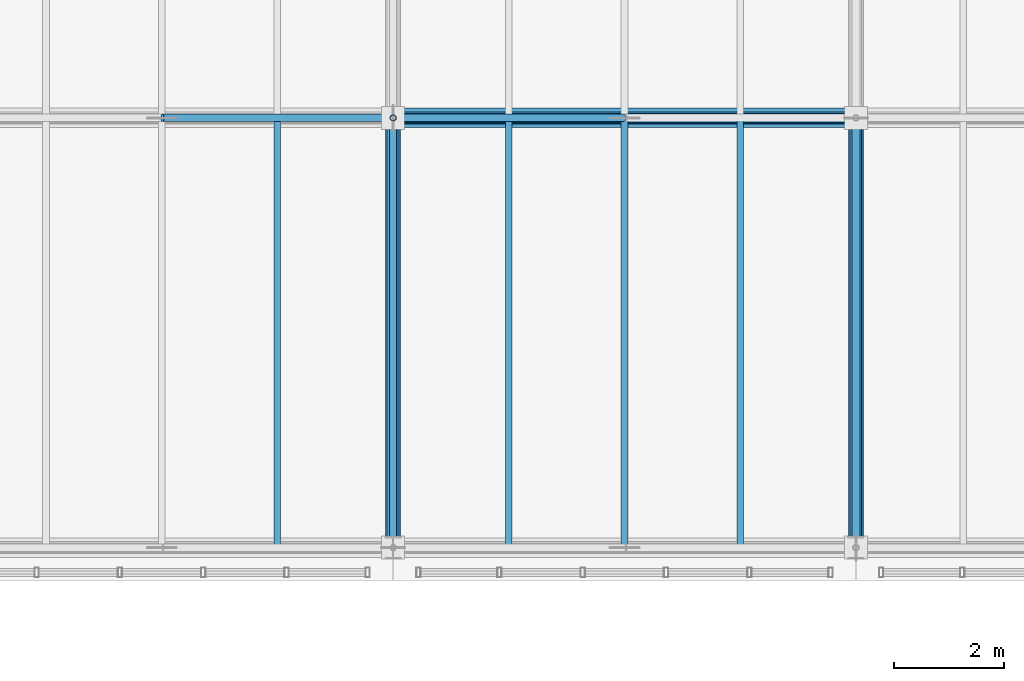
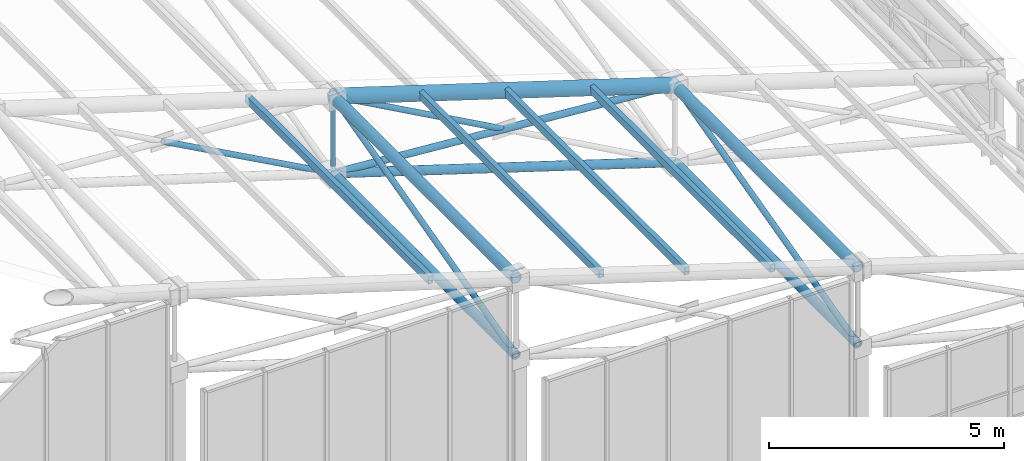
# One storey, part 83 of 144: 16 members.
"""IFC4 building model written with IfcOpenShell, lengths in metres."""

from ifc_helpers import new_model, si_unit, direction, frame, origin, origin_2d, place, context, subcontext, project, spatial, hollow_rectangle, hollow_circle, extrude, material, material_profile, profile_set, type_object, element, save


model = new_model("IFC4")

# Units and contexts
model_context = context("Model", 3, precision=1e-05, world=origin(), true_north=direction((0.0, 1.0)))
body_context = subcontext(model_context, "Body", "Model", "MODEL_VIEW")
ifc_project = project(units=[si_unit("LENGTHUNIT", "METRE"), si_unit("AREAUNIT", "SQUARE_METRE"), si_unit("VOLUMEUNIT", "CUBIC_METRE"), si_unit("PLANEANGLEUNIT", "RADIAN"), si_unit("MASSUNIT", "GRAM", prefix="KILO")], contexts=[model_context])

# Site, building, storey
site_placement = place(None, origin())
site = spatial("IfcSite", under=ifc_project, at=site_placement, CompositionType="ELEMENT")
building_placement = place(site_placement, origin())
building = spatial("IfcBuilding", under=site, at=building_placement, Name="Zayran Congress Hotel", CompositionType="ELEMENT")
storey_placement = place(building_placement, frame((0.0, 0.0, 19.199951171875)))
storey = spatial("IfcBuildingStorey", under=building, at=storey_placement, Name="L04", CompositionType="ELEMENT", Elevation=19.199951171875)

# Members
ifc_material = material(Name="Steel S355", Category="steel")
ifc_material_profile_1 = material_profile(ifc_material, hollow_circle(Radius=0.177734375, WallThickness=0.01611328125, at=origin_2d()), Name="CHS 355.6x16")
ifc_profile_set_1 = profile_set([ifc_material_profile_1], Name="Steel S355")
member_type_1 = type_object("IfcMemberType", Name="TP-SF-TC1", PredefinedType="CHORD", material=ifc_profile_set_1)
member_1_placement = place(storey_placement, frame((75.60009765625, 76.0, 7.302001953125), z_axis=(0.953670596398, 0.0, -0.300852777228), x_axis=(0.0, 1.0, 0.0)))
element("IfcMember", 1, at=member_1_placement, inside=storey, type_object=member_type_1, Name="Space Frame Top Chord X 445", PredefinedType="CHORD", context=body_context, shape_type="SweptSolid", body=[
    extrude(hollow_circle(Radius=0.177734375, WallThickness=0.01611328125, at=origin_2d()), origin(), (0.0, 0.0, 1.0), 8.807861328125),
])
ifc_material_profile_2 = material_profile(ifc_material, hollow_circle(Radius=0.136474609375, WallThickness=0.012451171875, at=origin_2d()), Name="CHS 273x12.5")
ifc_profile_set_2 = profile_set([ifc_material_profile_2], Name="Steel S355")
member_type_2 = type_object("IfcMemberType", Name="TP-SF-TC2", PredefinedType="CHORD", material=ifc_profile_set_2)
for number, where, z_axis, x_axis, name in (
    (2, (75.60009765625, 68.199951171875, 7.302001953125), (0.0, 1.0, 0.0), (-1.0, 0.0, 0.0), "Space Frame Top Chord Y 441"),
    (3, (84.0, 68.199951171875, 4.652099609375), (0.0, 1.0, 0.0), (-1.0, 0.0, 0.0), "Space Frame Top Chord Y 494"),
):
    element("IfcMember", number, at=place(storey_placement, frame(where, z_axis=z_axis, x_axis=x_axis)), inside=storey, type_object=member_type_2, Name=name, PredefinedType="CHORD", context=body_context, shape_type="SweptSolid", body=[
        extrude(hollow_circle(Radius=0.136474609375, WallThickness=0.012451171875, at=origin_2d()), origin(), (0.0, 0.0, 1.0), 7.800048828125),
    ])
ifc_material_profile_3 = material_profile(ifc_material, hollow_circle(Radius=0.109619140625, WallThickness=0.010009765625, at=origin_2d()), Name="CHS 219.1x10")
ifc_profile_set_3 = profile_set([ifc_material_profile_3], Name="Steel S355")
member_type_3 = type_object("IfcMemberType", Name="TP-SF-BC1", PredefinedType="CHORD", material=ifc_profile_set_3)
member_2_placement = place(storey_placement, frame((75.60009765625, 68.199951171875, 5.300048828125), z_axis=(0.0, 1.0, 0.0), x_axis=(-1.0, 0.0, 0.0)))
element("IfcMember", 4, at=member_2_placement, inside=storey, type_object=member_type_3, Name="Space Frame Bottom Chord Y 442", PredefinedType="CHORD", context=body_context, shape_type="SweptSolid", body=[
    extrude(hollow_circle(Radius=0.109619140625, WallThickness=0.010009765625, at=origin_2d()), origin(), (0.0, 0.0, 1.0), 7.800048828125),
])
member_3_placement = place(storey_placement, frame((75.60009765625, 76.0, 5.300048828125), z_axis=(0.953670596398, 0.0, -0.300852777228), x_axis=(0.0, 1.0, 0.0)))
element("IfcMember", 5, at=member_3_placement, inside=storey, type_object=member_type_3, Name="Space Frame Bottom Chord X 446", PredefinedType="CHORD", context=body_context, shape_type="SweptSolid", body=[
    extrude(hollow_circle(Radius=0.109619140625, WallThickness=0.010009765625, at=origin_2d()), origin(), (0.0, 0.0, 1.0), 8.807861328125),
])
member_4_placement = place(storey_placement, frame((84.0, 68.199951171875, 2.650146484375), z_axis=(0.0, 1.0, 0.0), x_axis=(-1.0, 0.0, 0.0)))
element("IfcMember", 6, at=member_4_placement, inside=storey, type_object=member_type_3, Name="Space Frame Bottom Chord Y 495", PredefinedType="CHORD", context=body_context, shape_type="SweptSolid", body=[
    extrude(hollow_circle(Radius=0.109619140625, WallThickness=0.010009765625, at=origin_2d()), origin(), (0.0, 0.0, 1.0), 7.800048828125),
])
ifc_material_profile_4 = material_profile(ifc_material, hollow_circle(Radius=0.084228515625, WallThickness=0.008056640625, at=origin_2d()), Name="CHS 168.3x8")
ifc_profile_set_4 = profile_set([ifc_material_profile_4], Name="Steel S355")
member_type_4 = type_object("IfcMemberType", Name="TP-SF-DG1", PredefinedType="BRACE", material=ifc_profile_set_4)
member_5_placement = place(storey_placement, frame((75.60009765625, 76.0, 5.300048828125), z_axis=(0.997038098414, 0.0, -0.076909234238), x_axis=(0.0, 1.0, 0.0)))
element("IfcMember", 7, at=member_5_placement, inside=storey, type_object=member_type_4, Name="Space Frame Web Diagonal X 447", PredefinedType="BRACE", context=body_context, shape_type="SweptSolid", body=[
    extrude(hollow_circle(Radius=0.084228515625, WallThickness=0.008056640625, at=origin_2d()), origin(), (0.0, 0.0, 1.0), 8.4248046875),
])
ifc_material_profile_5 = material_profile(ifc_material, hollow_circle(Radius=0.06982421875, WallThickness=0.00634765625, at=origin_2d()), Name="CHS 139.7x6.3")
ifc_profile_set_5 = profile_set([ifc_material_profile_5], Name="Steel S355")
member_type_5 = type_object("IfcMemberType", Name="TP-SF-DG2", PredefinedType="BRACE", material=ifc_profile_set_5)
member_6_placement = place(storey_placement, frame((71.4130859375, 76.0, 7.59375), z_axis=(0.877024445647, 0.0, -0.480445753169), x_axis=(0.0, 1.0, 0.0)))
element("IfcMember", 8, at=member_6_placement, inside=storey, type_object=member_type_5, Name="Space Frame Counter Diagonal X Lower 63", PredefinedType="BRACE", context=body_context, shape_type="SweptSolid", body=[
    extrude(hollow_circle(Radius=0.06982421875, WallThickness=0.00634765625, at=origin_2d()), origin(), (0.0, 0.0, 1.0), 4.774169921875),
])
member_7_placement = place(storey_placement, frame((75.60009765625, 68.199951171875, 5.300048828125), z_axis=(0.0, 0.968605860949, 0.248601460446), x_axis=(-1.0, 0.0, 0.0)))
element("IfcMember", 9, at=member_7_placement, inside=storey, type_object=member_type_5, Name="Space Frame Web Diagonal Y 443", PredefinedType="BRACE", context=body_context, shape_type="SweptSolid", body=[
    extrude(hollow_circle(Radius=0.06982421875, WallThickness=0.00634765625, at=origin_2d()), origin(), (0.0, 0.0, 1.0), 8.052978515625),
])
member_8_placement = place(storey_placement, frame((75.60009765625, 76.0, 7.302001953125), z_axis=(0.874810980482, 0.0, -0.484464393355), x_axis=(0.0, 1.0, 0.0)))
element("IfcMember", 10, at=member_8_placement, inside=storey, type_object=member_type_5, Name="Space Frame Counter Diagonal X Upper 448", PredefinedType="BRACE", context=body_context, shape_type="SweptSolid", body=[
    extrude(hollow_circle(Radius=0.06982421875, WallThickness=0.00634765625, at=origin_2d()), origin(), (0.0, 0.0, 1.0), 4.785888671875),
])
member_9_placement = place(storey_placement, frame((84.0, 68.199951171875, 2.650146484375), z_axis=(0.0, 0.968605860949, 0.248601460446), x_axis=(-1.0, 0.0, 0.0)))
element("IfcMember", 11, at=member_9_placement, inside=storey, type_object=member_type_5, Name="Space Frame Web Diagonal Y 496", PredefinedType="BRACE", context=body_context, shape_type="SweptSolid", body=[
    extrude(hollow_circle(Radius=0.06982421875, WallThickness=0.00634765625, at=origin_2d()), origin(), (0.0, 0.0, 1.0), 8.052978515625),
])
ifc_material_profile_6 = material_profile(ifc_material, hollow_circle(Radius=0.05712890625, WallThickness=0.00634765625, at=origin_2d()), Name="CHS 114.3x6.3")
ifc_profile_set_6 = profile_set([ifc_material_profile_6], Name="Steel S355")
member_type_6 = type_object("IfcMemberType", Name="TP-SF-DG3", PredefinedType="BRACE", material=ifc_profile_set_6)
member_10_placement = place(storey_placement, frame((75.60009765625, 76.0, 5.300048828125), z_axis=(0.0, 0.0, 1.0), x_axis=(0.0, 1.0, 0.0)))
element("IfcMember", 12, at=member_10_placement, inside=storey, type_object=member_type_6, Name="Space Frame Web Strut 452", PredefinedType="BRACE", context=body_context, shape_type="SweptSolid", body=[
    extrude(hollow_circle(Radius=0.05712890625, WallThickness=0.00634765625, at=origin_2d()), origin(), (0.0, 0.0, 1.0), 2.001953125),
])
ifc_material_profile_7 = material_profile(ifc_material, hollow_rectangle(XDim=0.1201171875, YDim=0.199951171875, WallThickness=0.008056640625, at=origin_2d()), Name="RHS 200x120x8")
ifc_profile_set_7 = profile_set([ifc_material_profile_7], Name="Steel S355")
member_type_7 = type_object("IfcMemberType", Name="TP-PR-01", PredefinedType="PURLIN", material=ifc_profile_set_7)
for number, where, z_axis, x_axis, name in (
    (13, (73.5, 68.199951171875, 7.994140625), (0.0, 1.0, 0.0), (-1.0, 0.0, 0.0), "MEM-PR-V1-0139"),
    (14, (77.699951171875, 68.199951171875, 6.681640625), (0.0, 1.0, 0.0), (-1.0, 0.0, 0.0), "MEM-PR-V1-0145"),
    (15, (79.800048828125, 68.199951171875, 6.01904296875), (0.0, 1.0, 0.0), (-1.0, 0.0, 0.0), "MEM-PR-V1-0151"),
    (16, (81.89990234375, 68.199951171875, 5.3564453125), (0.0, 1.0, 0.0), (-1.0, 0.0, 0.0), "MEM-PR-V1-0157"),
):
    element("IfcMember", number, at=place(storey_placement, frame(where, z_axis=z_axis, x_axis=x_axis)), inside=storey, type_object=member_type_7, Name=name, PredefinedType="PURLIN", context=body_context, shape_type="SweptSolid", body=[
        extrude(hollow_rectangle(XDim=0.1201171875, YDim=0.199951171875, WallThickness=0.008056640625, at=origin_2d()), origin(), (0.0, 0.0, 1.0), 7.800048828125),
    ])

save(model, "model.ifc")
